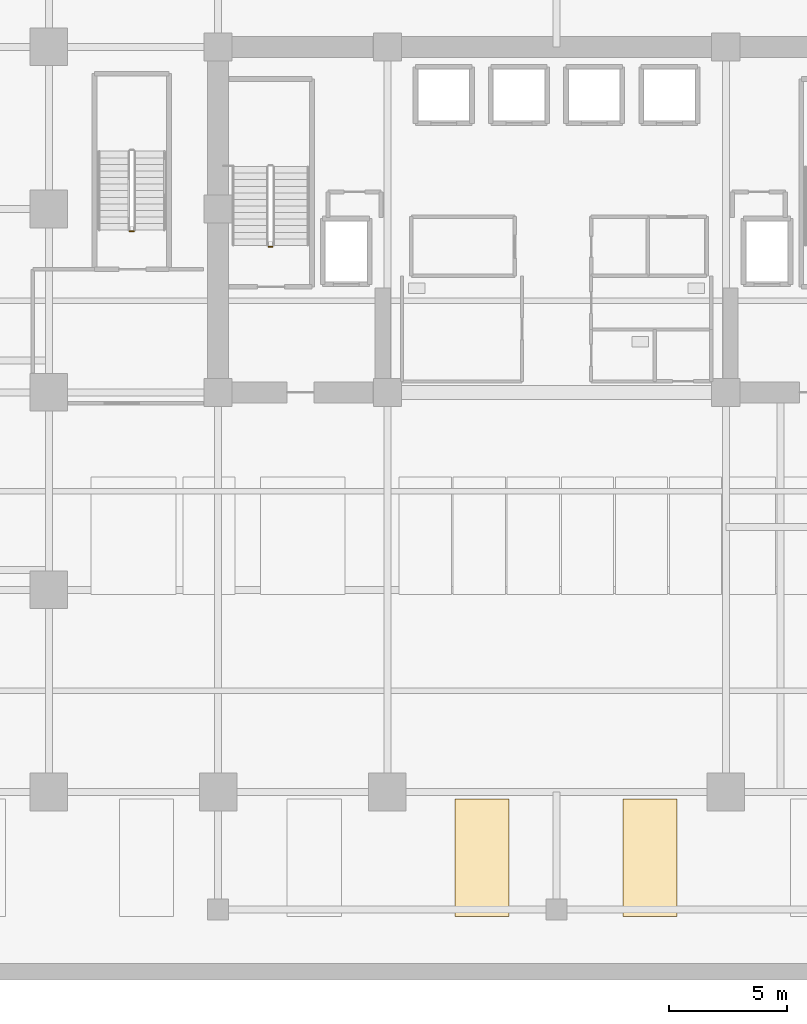
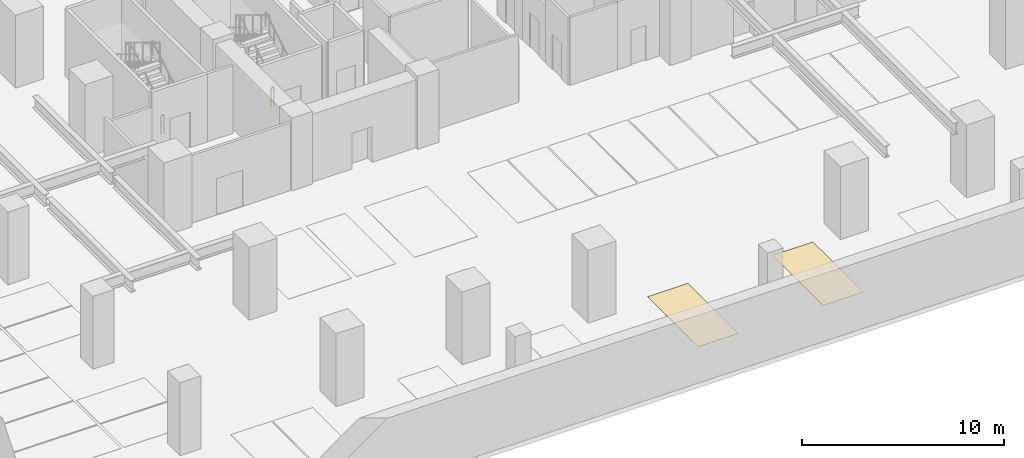
# One storey, part 8 of 14: 2 coverings, 2 railings.
"""IFC4 building model written with IfcOpenShell, lengths in metres."""

from ifc_helpers import new_model, si_unit, direction, frame, origin, origin_2d, place, context, subcontext, project, spatial, polyline, rectangle, outline, extrude, material, layer, layer_set, type_object, element, save


model = new_model("IFC4")

# Units and contexts
model_context = context("Model", 3, precision=1e-05, world=origin(), true_north=direction((0.0, 1.0)))
body_context = subcontext(model_context, "Body", "Model", "MODEL_VIEW")
ifc_project = project(units=[si_unit("LENGTHUNIT", "METRE"), si_unit("AREAUNIT", "SQUARE_METRE"), si_unit("VOLUMEUNIT", "CUBIC_METRE"), si_unit("PLANEANGLEUNIT", "RADIAN"), si_unit("MASSUNIT", "GRAM", prefix="KILO")], contexts=[model_context])

# Site, building, storey
site_placement = place(None, origin())
site = spatial("IfcSite", under=ifc_project, at=site_placement, CompositionType="ELEMENT")
building_placement = place(site_placement, origin())
building = spatial("IfcBuilding", under=site, at=building_placement, Name="Zarnakvel Exchange Tower", CompositionType="ELEMENT")
storey_placement = place(building_placement, frame((0.0, 0.0, -4.39990234375)))
storey = spatial("IfcBuildingStorey", under=building, at=storey_placement, Name="B01", CompositionType="ELEMENT", Elevation=-4.39990234375)

# Coverings
ifc_material_1 = material(Name="Thermoplastic Acrylic Bay Marking", Category="finish")
ifc_layer = layer(ifc_material_1, 0.010009765625)
ifc_layer_set = layer_set([ifc_layer], Name="Thermoplastic Acrylic Bay Marking")
covering_type = type_object("IfcCoveringType", Name="MK-01", PredefinedType="FLOORING", material=ifc_layer_set)
covering_1_placement = place(storey_placement, origin())
element("IfcCovering", 1, at=covering_1_placement, inside=storey, type_object=covering_type, Name="B01 Standard Parking Bay Marking B01-07", PredefinedType="FLOORING", context=body_context, shape_type="SweptSolid", body=[
    extrude(outline(polyline([(-4.320068359375, -23.5), (-2.02001953125, -23.5), (-2.02001953125, -18.5), (-4.320068359375, -18.5), (-4.320068359375, -23.5)])), origin(), (0.0, 0.0, 1.0), 0.010009765625),
])
covering_2_placement = place(storey_placement, origin())
element("IfcCovering", 2, at=covering_2_placement, inside=storey, type_object=covering_type, Name="B01 Standard Parking Bay Marking B01-08", PredefinedType="FLOORING", context=body_context, shape_type="SweptSolid", body=[
    extrude(outline(polyline([(2.820068359375, -23.5), (5.1201171875, -23.5), (5.1201171875, -18.5), (2.820068359375, -18.5), (2.820068359375, -23.5)])), origin(), (0.0, 0.0, 1.0), 0.010009765625),
])

# Railings
ifc_material_2 = material(Name="Architectural Bronze Anodised Aluminium", Category="aluminium")
railing_type = type_object("IfcRailingType", Name="SG-01", PredefinedType="GUARDRAIL", material=ifc_material_2)
for number, where, name in (
    (3, (-12.090087890625, 5.0, 0.0), "B01 ST-01 stair guard 4"),
    (4, (-17.989990234375, 5.64990234375, 0.0), "B01 ST-05 stair guard 4"),
):
    element("IfcRailing", number, at=place(storey_placement, frame(where)), inside=storey, type_object=railing_type, Name=name, PredefinedType="GUARDRAIL", context=body_context, shape_type="SweptSolid", body=[
        extrude(rectangle(XDim=0.048095703125, YDim=0.048095703125, at=origin_2d()), frame((0.0, 0.0, 1.1259765625), z_axis=(-1.0, 0.0, 0.0), x_axis=(0.0, -1.0, 0.0)), (0.0, 0.0, 1.0), 0.159912109375),
        extrude(rectangle(XDim=0.0419921875, YDim=0.0419921875, at=origin_2d()), origin(), (0.0, 0.0, 1.0), 1.101806640625),
        extrude(rectangle(XDim=0.0419921875, YDim=0.0419921875, at=origin_2d()), frame((-0.159912109375, 0.0, 0.0)), (0.0, 0.0, 1.0), 1.101806640625),
    ])

save(model, "model.ifc")
